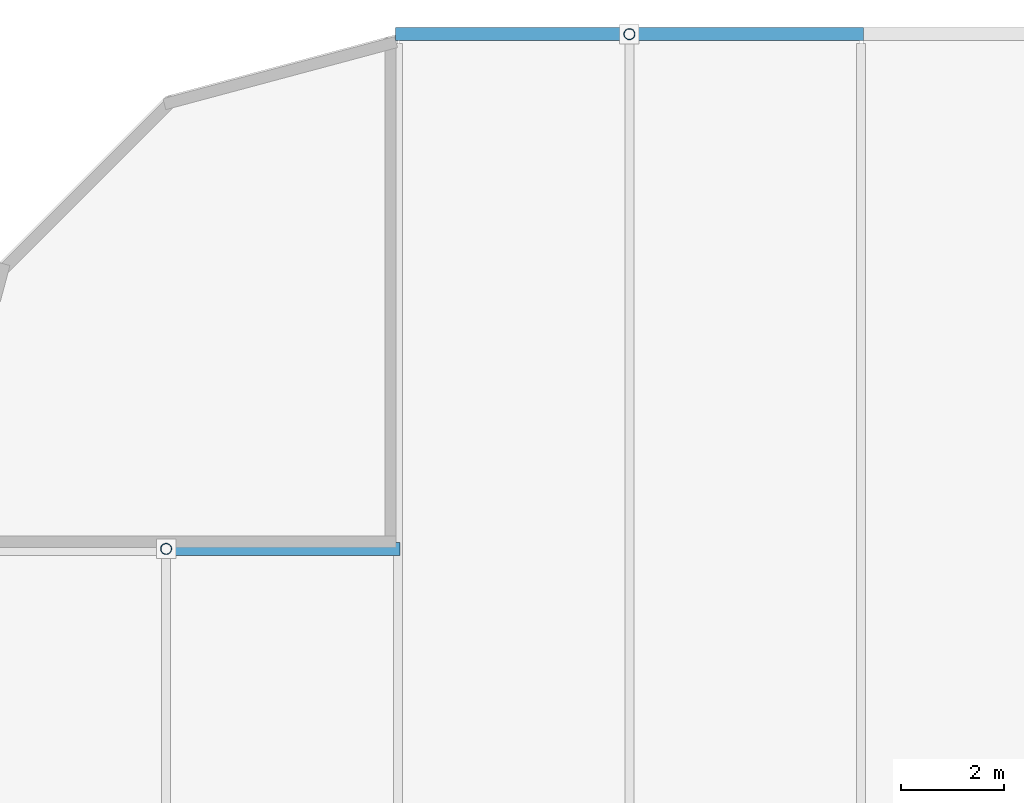
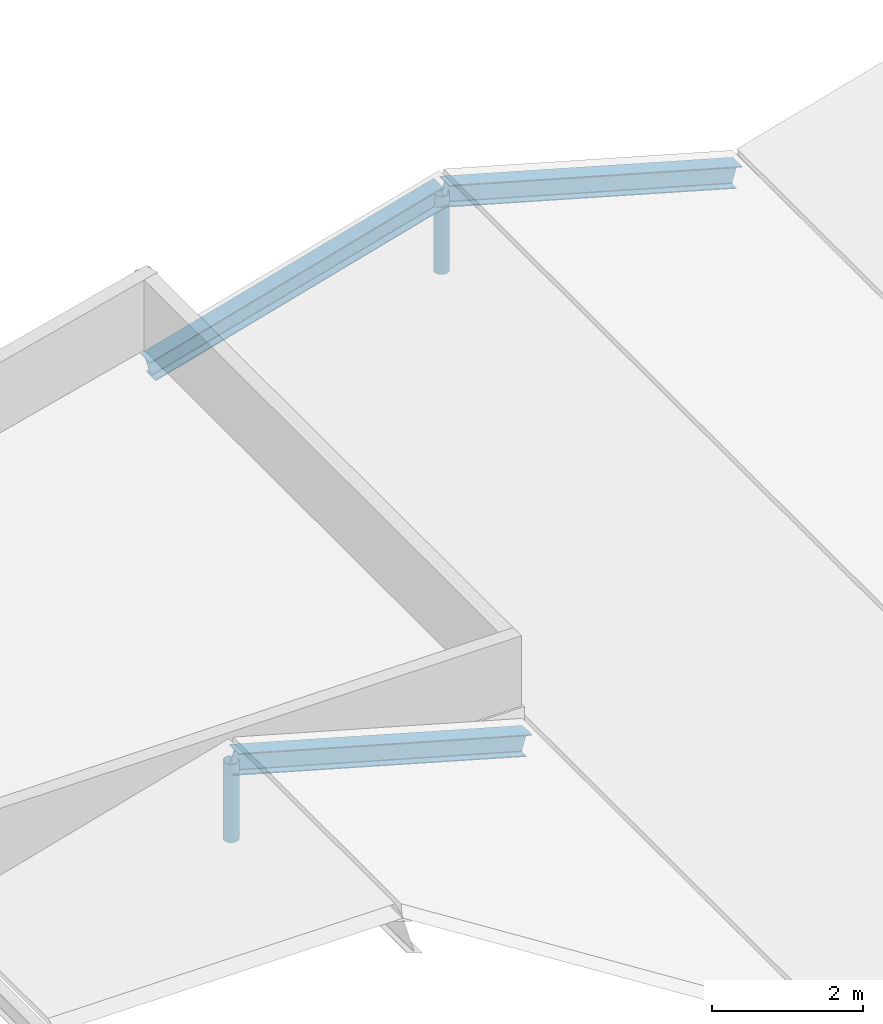
# One storey, part 18 of 40: 5 members.
"""IFC4 building model written with IfcOpenShell, lengths in metres."""

from ifc_helpers import new_model, si_unit, direction, frame, origin, origin_2d, place, context, subcontext, project, spatial, hollow_circle, i_section, extrude, material, material_profile, profile_set, type_object, element, save


model = new_model("IFC4")

# Units and contexts
model_context = context("Model", 3, precision=1e-05, world=origin(), true_north=direction((0.0, 1.0)))
body_context = subcontext(model_context, "Body", "Model", "MODEL_VIEW")
ifc_project = project(units=[si_unit("LENGTHUNIT", "METRE"), si_unit("AREAUNIT", "SQUARE_METRE"), si_unit("VOLUMEUNIT", "CUBIC_METRE"), si_unit("PLANEANGLEUNIT", "RADIAN"), si_unit("MASSUNIT", "GRAM", prefix="KILO")], contexts=[model_context])

# Site, building, storey
site_placement = place(None, origin())
site = spatial("IfcSite", under=ifc_project, at=site_placement, CompositionType="ELEMENT")
building_placement = place(site_placement, origin())
building = spatial("IfcBuilding", under=site, at=building_placement, Name="Suzunagisa Mobility Hub", CompositionType="ELEMENT")
storey_placement = place(building_placement, frame((0.0, 0.0, 21.89990234375)))
storey = spatial("IfcBuildingStorey", under=building, at=storey_placement, Name="L05", CompositionType="ELEMENT", Elevation=21.89990234375)

# Members
ifc_material = material(Name="Steel SN400B", Category="steel")
ifc_material_profile_1 = material_profile(ifc_material, i_section(OverallWidth=0.25, OverallDepth=0.340087890625, WebThickness=0.009033203125, FlangeThickness=0.013916015625, FilletRadius=0.010009765625, at=origin_2d()), Name="H-340x250x9x14")
ifc_profile_set_1 = profile_set([ifc_material_profile_1], Name="Steel SN400B")
member_type_1 = type_object("IfcMemberType", Name="Roof Truss and Brace Member MB-11 H-340x250x9x14", PredefinedType="RAFTER", material=ifc_profile_set_1)
for number, where, z_axis, x_axis, name in (
    (1, (9.0, 108.0, -0.3798828125), (-0.962514716328, 0.0, 0.271229461622), (0.0, -1.0, 0.0), "L05 Ramp Canopy Rafter 220"),
    (2, (9.0, 118.0, -0.3798828125), (0.962514716328, 0.0, 0.271229461622), (0.0, 1.0, 0.0), "L05 Ramp Canopy Rafter 229"),
    (3, (18.0, 118.0, -0.3798828125), (-0.962514716328, 0.0, 0.271229461622), (0.0, -1.0, 0.0), "L05 Ramp Canopy Rafter 230"),
):
    element("IfcMember", number, at=place(storey_placement, frame(where, z_axis=z_axis, x_axis=x_axis)), inside=storey, type_object=member_type_1, Name=name, PredefinedType="RAFTER", context=body_context, shape_type="SweptSolid", body=[
        extrude(i_section(OverallWidth=0.25, OverallDepth=0.340087890625, WebThickness=0.009033203125, FlangeThickness=0.013916015625, FilletRadius=0.010009765625, at=origin_2d()), origin(), (0.0, 0.0, 1.0), 4.67529296875),
    ])
ifc_material_profile_2 = material_profile(ifc_material, hollow_circle(Radius=0.108154296875, WallThickness=0.00830078125, at=origin_2d()), Name="CHS-216.3x8.2")
ifc_profile_set_2 = profile_set([ifc_material_profile_2], Name="Steel SN400B")
member_type_2 = type_object("IfcMemberType", Name="Roof Truss and Brace Member MB-14 CHS-216.3x8.2", PredefinedType="POST", material=ifc_profile_set_2)
for number, where, z_axis, x_axis, name in (
    (4, (4.5, 108.0, -0.3798828125), (0.0, 0.0, 1.0), (1.0, 0.0, 0.0), "L05 Ramp Canopy Truss Post 218"),
    (5, (13.5, 118.0, -0.3798828125), (0.0, 0.0, 1.0), (1.0, 0.0, 0.0), "L05 Ramp Canopy Truss Post 228"),
):
    element("IfcMember", number, at=place(storey_placement, frame(where, z_axis=z_axis, x_axis=x_axis)), inside=storey, type_object=member_type_2, Name=name, PredefinedType="POST", context=body_context, shape_type="SweptSolid", body=[
        extrude(hollow_circle(Radius=0.108154296875, WallThickness=0.00830078125, at=origin_2d()), origin(), (0.0, 0.0, 1.0), 1.26806640625),
    ])

save(model, "model.ifc")
